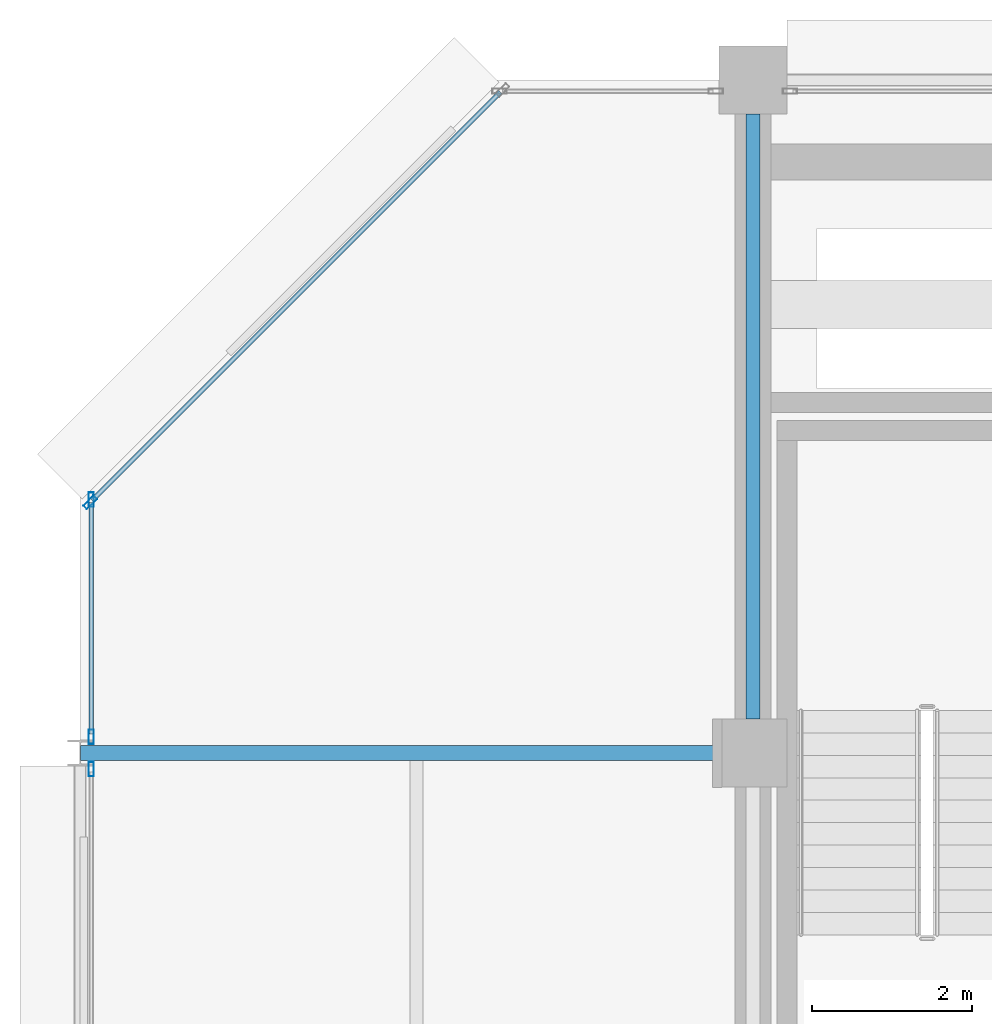
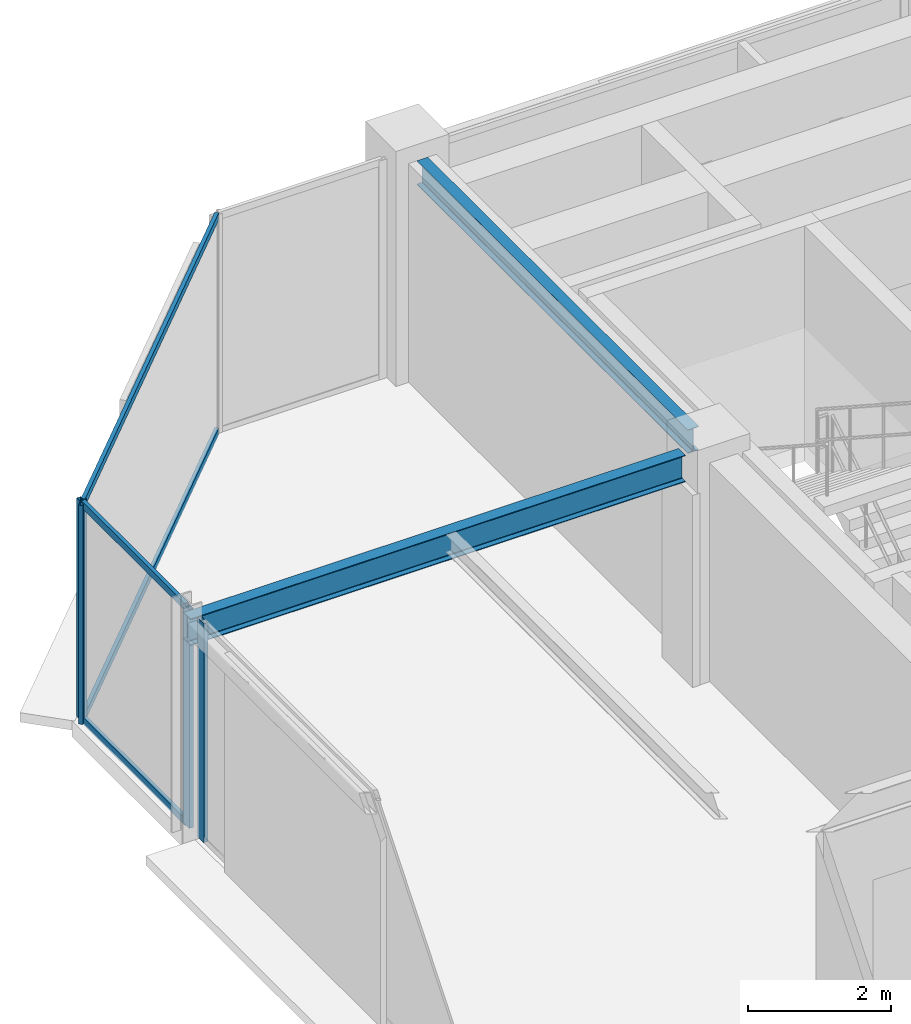
# One storey, part 16 of 25: 8 members, 2 beams, 3 elements without a shape of their own.
"""IFC4 building model written with IfcOpenShell, lengths in metres."""

from ifc_helpers import new_model, si_unit, direction, frame, origin, origin_2d, place, context, subcontext, project, spatial, hollow_rectangle, i_section, extrude, material, layer, layer_set, material_profile, profile_set, type_object, element, aggregate, save


model = new_model("IFC4")

# Units and contexts
model_context = context("Model", 3, precision=1e-05, world=origin(), true_north=direction((0.0, 1.0)))
body_context = subcontext(model_context, "Body", "Model", "MODEL_VIEW")
ifc_project = project(units=[si_unit("LENGTHUNIT", "METRE"), si_unit("AREAUNIT", "SQUARE_METRE"), si_unit("VOLUMEUNIT", "CUBIC_METRE"), si_unit("PLANEANGLEUNIT", "RADIAN"), si_unit("MASSUNIT", "GRAM", prefix="KILO")], contexts=[model_context])

# Site, building, storey
site_placement = place(None, origin())
site = spatial("IfcSite", under=ifc_project, at=site_placement, CompositionType="ELEMENT")
building_placement = place(site_placement, origin())
building = spatial("IfcBuilding", under=site, at=building_placement, Name="Nerrivon Quay Data Exchange", CompositionType="ELEMENT")
storey_placement = place(building_placement, frame((0.0, 0.0, 314.199951171875)))
storey = spatial("IfcBuildingStorey", under=building, at=storey_placement, Name="L75", CompositionType="ELEMENT", Elevation=314.199951171875)

# Beams
ifc_material_1 = material(Name="Steel Grade 350", Category="steel")
ifc_material_profile_1 = material_profile(ifc_material_1, i_section(OverallWidth=0.18994140625, OverallDepth=0.4541015625, WebThickness=0.008544921875, FlangeThickness=0.0126953125, FilletRadius=0.011474609375, at=origin_2d()), Name="460UB67.1")
ifc_profile_set_1 = profile_set([ifc_material_profile_1], Name="Steel Grade 350")
beam_type_1 = type_object("IfcBeamType", Name="BM-G6-460UB67", PredefinedType="BEAM", material=ifc_profile_set_1)
beam_1_placement = place(storey_placement, frame((0.0078125, 33.60009765625, 3.498046875), z_axis=(1.0, 0.0, 0.0), x_axis=(0.0, 1.0, 0.0)))
element("IfcBeam", 1, at=beam_1_placement, inside=storey, type_object=beam_type_1, Name="L75 EW Girder Y=33.6 (0.0..8.4)", PredefinedType="BEAM", context=body_context, shape_type="SweptSolid", body=[
    extrude(i_section(OverallWidth=0.18994140625, OverallDepth=0.4541015625, WebThickness=0.008544921875, FlangeThickness=0.0126953125, FilletRadius=0.011474609375, at=origin_2d()), origin(), (0.0, 0.0, 1.0), 7.96728515625),
])
ifc_material_profile_2 = material_profile(ifc_material_1, i_section(OverallWidth=0.177978515625, OverallDepth=0.406005859375, WebThickness=0.0078125, FlangeThickness=0.0126953125, FilletRadius=0.011474609375, at=origin_2d()), Name="410UB59.7")
ifc_profile_set_2 = profile_set([ifc_material_profile_2], Name="Steel Grade 350")
beam_type_2 = type_object("IfcBeamType", Name="BM-J1-410UB60", PredefinedType="JOIST", material=ifc_profile_set_2)
beam_2_placement = place(storey_placement, frame((8.39990234375, 34.02490234375, 3.52197265625), z_axis=(0.0, 1.0, 0.0), x_axis=(-1.0, 0.0, 0.0)))
element("IfcBeam", 2, at=beam_2_placement, inside=storey, type_object=beam_type_2, Name="L75 NS Girder X=8.4 (33.6..42.0)", PredefinedType="JOIST", context=body_context, shape_type="SweptSolid", body=[
    extrude(i_section(OverallWidth=0.177978515625, OverallDepth=0.406005859375, WebThickness=0.0078125, FlangeThickness=0.0126953125, FilletRadius=0.011474609375, at=origin_2d()), origin(), (0.0, 0.0, 1.0), 7.550048828125),
])

# Curtain wall, member
ifc_material_2 = material(Name="Anodised aluminium 6063-T6", Category="aluminium")
ifc_layer = layer(ifc_material_2, 0.195068359375)
ifc_layer_set = layer_set([ifc_layer], Name="Anodised aluminium 6063-T6")
curtain_wall_type = type_object("IfcCurtainWallType", Name="CW-SYS-06", PredefinedType="NOTDEFINED", material=ifc_layer_set)
curtain_wall_1_placement = place(storey_placement, origin())
curtain_wall_1 = element("IfcCurtainWall", 3, at=curtain_wall_1_placement, inside=storey, type_object=curtain_wall_type, Name="L75 Unitised Curtain Wall 11", PredefinedType="NOTDEFINED")
ifc_material_profile_3 = material_profile(ifc_material_2, hollow_rectangle(XDim=0.06494140625, YDim=0.179931640625, WallThickness=0.00341796875, at=origin_2d()), Name="ALU-MULL-180x65")
ifc_profile_set_3 = profile_set([ifc_material_profile_3], Name="Anodised aluminium 6063-T6")
member_type_1 = type_object("IfcMemberType", Name="CWM-180x65", PredefinedType="MULLION", material=ifc_profile_set_3)
member_1_placement = place(storey_placement, frame((0.139892578125, 33.39892578125, 0.0), z_axis=(0.0, 0.0, 1.0), x_axis=(-1.0, 0.0, 0.0)))
member_1 = element("IfcMember", 4, at=member_1_placement, type_object=member_type_1, Name="CW06 mullion 2", PredefinedType="MULLION", context=body_context, shape_type="SweptSolid", body=[
    extrude(hollow_rectangle(XDim=0.06494140625, YDim=0.179931640625, WallThickness=0.00341796875, at=origin_2d()), origin(), (0.0, 0.0, 1.0), 3.72509765625),
])
aggregate(curtain_wall_1, [member_1])

# Curtain wall, members
curtain_wall_2_placement = place(storey_placement, origin())
curtain_wall_2 = element("IfcCurtainWall", 5, at=curtain_wall_2_placement, inside=storey, type_object=curtain_wall_type, Name="L75 Unitised Curtain Wall 12", PredefinedType="NOTDEFINED")
member_2_placement = place(storey_placement, frame((0.139892578125, 33.801025390625, 0.0), z_axis=(0.0, 0.0, 1.0), x_axis=(-1.0, 0.0, 0.0)))
member_2 = element("IfcMember", 6, at=member_2_placement, type_object=member_type_1, Name="CW06 mullion 1", PredefinedType="MULLION", context=body_context, shape_type="SweptSolid", body=[
    extrude(hollow_rectangle(XDim=0.06494140625, YDim=0.179931640625, WallThickness=0.00341796875, at=origin_2d()), origin(), (0.0, 0.0, 1.0), 3.72509765625),
])
member_3_placement = place(storey_placement, frame((0.139892578125, 36.762451171875, 0.0), z_axis=(0.0, 0.0, 1.0), x_axis=(-1.0, 0.0, 0.0)))
member_3 = element("IfcMember", 7, at=member_3_placement, type_object=member_type_1, Name="CW06 mullion 2", PredefinedType="MULLION", context=body_context, shape_type="SweptSolid", body=[
    extrude(hollow_rectangle(XDim=0.06494140625, YDim=0.179931640625, WallThickness=0.00341796875, at=origin_2d()), origin(), (0.0, 0.0, 1.0), 3.72509765625),
])

# Curtain wall, member
curtain_wall_3_placement = place(storey_placement, origin())
curtain_wall_3 = element("IfcCurtainWall", 8, at=curtain_wall_3_placement, inside=storey, type_object=curtain_wall_type, Name="L75 Unitised Curtain Wall 13", PredefinedType="NOTDEFINED")
member_4_placement = place(storey_placement, frame((0.12548828125, 36.7275390625, 0.0), z_axis=(0.0, 0.0, 1.0), x_axis=(-0.707106781187, 0.707106781187, 0.0)))
member_4 = element("IfcMember", 9, at=member_4_placement, type_object=member_type_1, Name="CW06 mullion 1", PredefinedType="MULLION", context=body_context, shape_type="SweptSolid", body=[
    extrude(hollow_rectangle(XDim=0.06494140625, YDim=0.179931640625, WallThickness=0.00341796875, at=origin_2d()), origin(), (0.0, 0.0, 1.0), 3.72509765625),
])

# Member
ifc_material_profile_4 = material_profile(ifc_material_2, hollow_rectangle(XDim=0.06005859375, YDim=0.1201171875, WallThickness=0.003173828125, at=origin_2d()), Name="ALU-TRAN-120x60")
ifc_profile_set_4 = profile_set([ifc_material_profile_4], Name="Anodised aluminium 6063-T6")
member_type_2 = type_object("IfcMemberType", Name="CWT-120x60", PredefinedType="USERDEFINED", material=ifc_profile_set_4)
member_5_placement = place(storey_placement, frame((0.139892578125, 33.83837890625, 0.032470703125), z_axis=(0.0, 1.0, 0.0), x_axis=(-1.0, 0.0, 0.0)))
member_5 = element("IfcMember", 10, at=member_5_placement, type_object=member_type_2, Name="CW06 transom 1.1", ObjectType="TRANSOM", PredefinedType="USERDEFINED", context=body_context, shape_type="SweptSolid", body=[
    extrude(hollow_rectangle(XDim=0.06005859375, YDim=0.1201171875, WallThickness=0.003173828125, at=origin_2d()), origin(), (0.0, 0.0, 1.0), 2.88671875),
])

member_6_placement = place(storey_placement, frame((0.139892578125, 33.83837890625, 3.692626953125), z_axis=(0.0, 1.0, 0.0), x_axis=(-1.0, 0.0, 0.0)))
member_6 = element("IfcMember", 11, at=member_6_placement, type_object=member_type_2, Name="CW06 transom 1.2", ObjectType="TRANSOM", PredefinedType="USERDEFINED", context=body_context, shape_type="SweptSolid", body=[
    extrude(hollow_rectangle(XDim=0.06005859375, YDim=0.1201171875, WallThickness=0.003173828125, at=origin_2d()), origin(), (0.0, 0.0, 1.0), 2.88671875),
])

aggregate(curtain_wall_2, [member_2, member_3, member_5, member_6])

member_7_placement = place(storey_placement, frame((0.152099609375, 36.754150390625, 0.032470703125), z_axis=(0.707106781187, 0.707106781187, 0.0), x_axis=(-0.707106781187, 0.707106781187, 0.0)))
member_7 = element("IfcMember", 12, at=member_7_placement, type_object=member_type_2, Name="CW06 transom 1.1", ObjectType="TRANSOM", PredefinedType="USERDEFINED", context=body_context, shape_type="SweptSolid", body=[
    extrude(hollow_rectangle(XDim=0.06005859375, YDim=0.1201171875, WallThickness=0.003173828125, at=origin_2d()), origin(), (0.0, 0.0, 1.0), 7.20361328125),
])

member_8_placement = place(storey_placement, frame((0.152099609375, 36.754150390625, 3.692626953125), z_axis=(0.707106781187, 0.707106781187, 0.0), x_axis=(-0.707106781187, 0.707106781187, 0.0)))
member_8 = element("IfcMember", 13, at=member_8_placement, type_object=member_type_2, Name="CW06 transom 1.2", ObjectType="TRANSOM", PredefinedType="USERDEFINED", context=body_context, shape_type="SweptSolid", body=[
    extrude(hollow_rectangle(XDim=0.06005859375, YDim=0.1201171875, WallThickness=0.003173828125, at=origin_2d()), origin(), (0.0, 0.0, 1.0), 7.20361328125),
])

aggregate(curtain_wall_3, [member_4, member_7, member_8])

save(model, "model.ifc")
